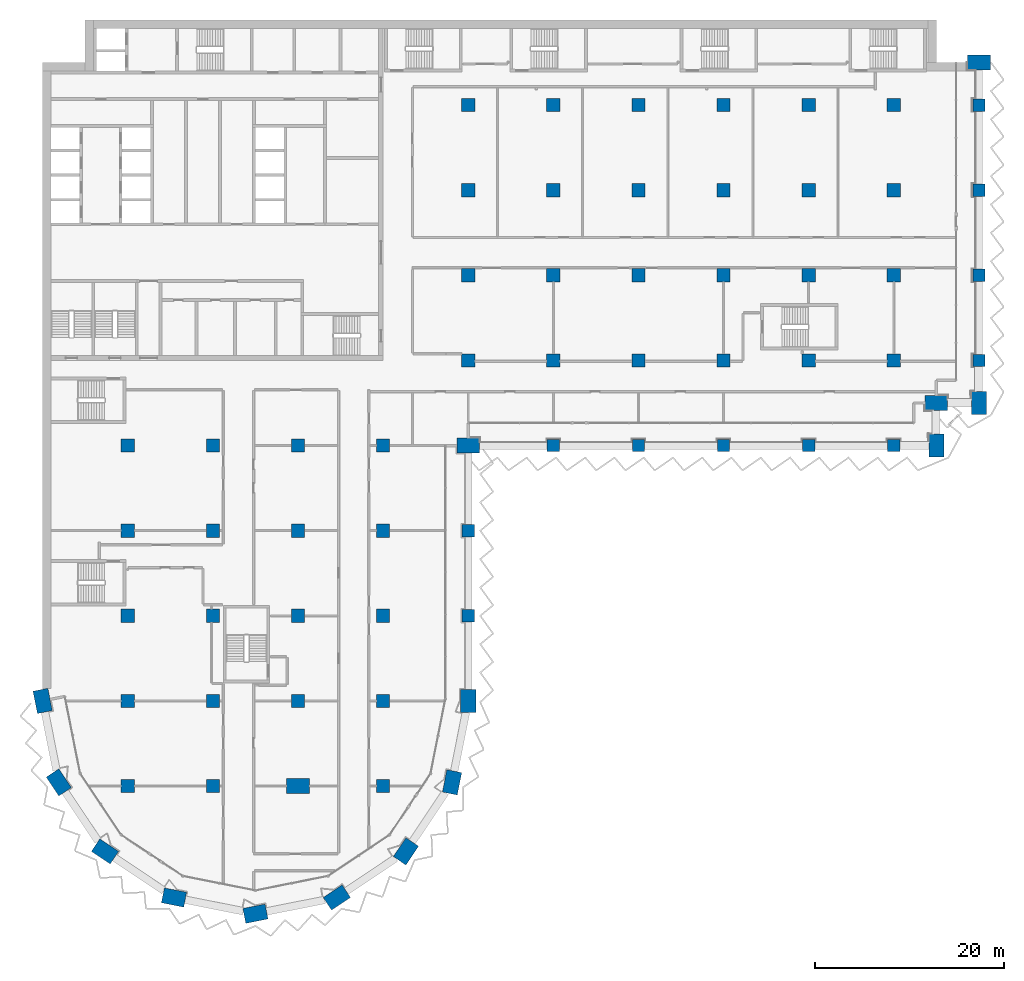
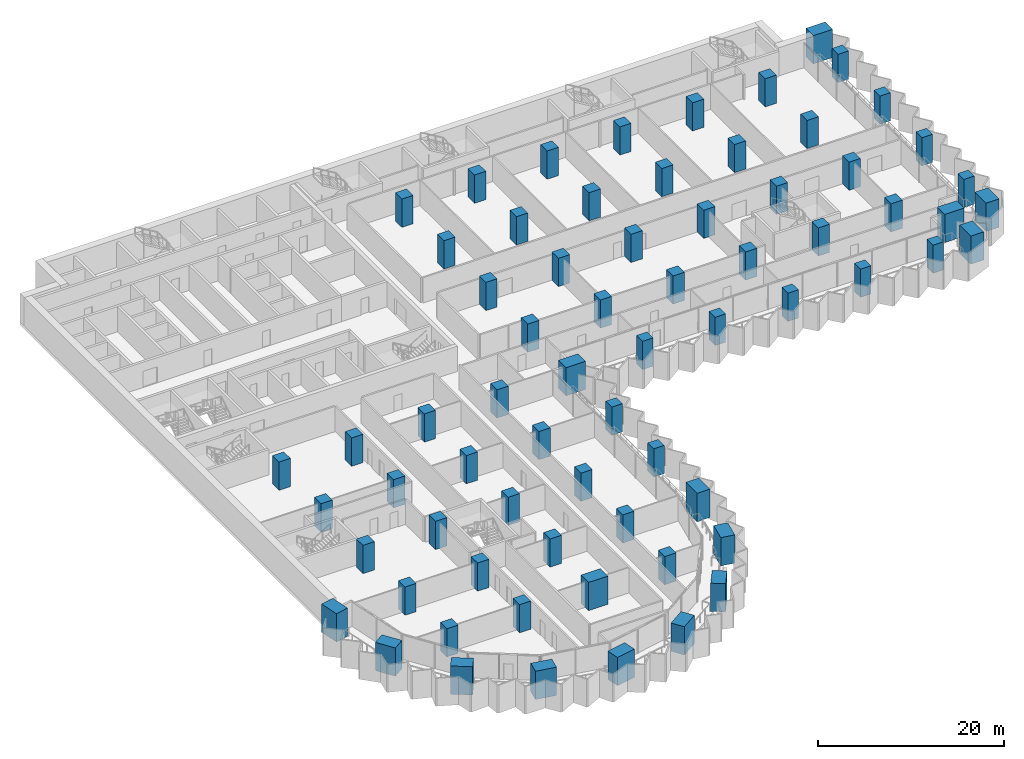
# One storey, part 1 of 29: 69 columns.
"""IFC4 building model written with IfcOpenShell, lengths in metres."""

from ifc_helpers import new_model, si_unit, direction, frame, origin, origin_2d, place, context, subcontext, project, spatial, rectangle, extrude, material, material_profile, profile_set, type_object, element, save


model = new_model("IFC4")

# Units and contexts
model_context = context("Model", 3, precision=1e-05, world=origin(), true_north=direction((0.0, 1.0)))
body_context = subcontext(model_context, "Body", "Model", "MODEL_VIEW")
ifc_project = project(units=[si_unit("LENGTHUNIT", "METRE"), si_unit("AREAUNIT", "SQUARE_METRE"), si_unit("VOLUMEUNIT", "CUBIC_METRE"), si_unit("PLANEANGLEUNIT", "RADIAN"), si_unit("MASSUNIT", "GRAM", prefix="KILO")], contexts=[model_context])

# Site, building, storey
site_placement = place(None, origin())
site = spatial("IfcSite", under=ifc_project, at=site_placement, CompositionType="ELEMENT")
building_placement = place(site_placement, origin())
building = spatial("IfcBuilding", under=site, at=building_placement, Name="Hunhe Ridgeline Campus", CompositionType="ELEMENT")
storey_placement = place(building_placement, frame((0.0, 0.0, 54.300048828125)))
storey = spatial("IfcBuildingStorey", under=building, at=storey_placement, Name="L12", CompositionType="ELEMENT", Elevation=54.300048828125)

# Columns
ifc_material = material(Name="Concrete C80", Category="concrete")
ifc_material_profile_1 = material_profile(ifc_material, rectangle(XDim=2.39990234375, YDim=1.60009765625, at=origin_2d()))
ifc_profile_set_1 = profile_set([ifc_material_profile_1], Name="Concrete C80")
column_type_1 = type_object("IfcColumnType", Name="Megacolumn 2400x1600 Concrete C80", PredefinedType="COLUMN", material=ifc_profile_set_1)
for number, where, z_axis, x_axis, name in (
    (1, (22.5, 4.5, 0.0), (0.0, 0.0, 1.0), (0.980785280403, 0.195090322016, 0.0), "Column C3 R1 L12"),
    (2, (13.8896484375, 6.212646484375, 0.0), (0.0, 0.0, 1.0), (-0.980785280403, 0.195090322016, 0.0), "Column C3 R2 L12"),
    (3, (31.1103515625, 6.212646484375, 0.0), (0.0, 0.0, 1.0), (0.831469612303, 0.55557023302, 0.0), "Column C3 R3 L12"),
    (4, (6.590087890625, 11.090087890625, 0.0), (0.0, 0.0, 1.0), (-0.831469612303, 0.55557023302, 0.0), "Column C3 R4 L12"),
    (5, (38.409912109375, 11.090087890625, 0.0), (0.0, 0.0, 1.0), (0.55557023302, 0.831469612303, 0.0), "Column C3 R5 L12"),
    (6, (1.712646484375, 18.3896484375, 0.0), (0.0, 0.0, 1.0), (-0.55557023302, 0.831469612303, 0.0), "Column C3 R9 L12"),
    (7, (43.287353515625, 18.3896484375, 0.0), (0.0, 0.0, 1.0), (0.195090322016, 0.980785280403, 0.0), "Column C3 R10 L12"),
    (8, (0.0, 27.0, 0.0), (0.0, 0.0, 1.0), (-0.195090322016, 0.980785280403, 0.0), "Column C3 D1 L12"),
    (9, (45.0, 27.0, 0.0), (0.0, 0.0, 1.0), (0.0, 1.0, 0.0), "Column C3 D6 L12"),
    (10, (45.0, 54.0, 0.0), (0.0, 0.0, 1.0), (1.0, 0.0, 0.0), "Column C3 G6 L12"),
    (11, (94.5, 54.0, 0.0), (0.0, 0.0, 1.0), (0.0, 1.0, 0.0), "Column C3 R32 L12"),
    (12, (94.5, 58.5, 0.0), (0.0, 0.0, 1.0), (1.0, 0.0, 0.0), "Column C3 R39 L12"),
    (13, (99.0, 58.5, 0.0), (0.0, 0.0, 1.0), (0.0, 1.0, 0.0), "Column C3 R40 L12"),
    (14, (99.0, 94.5, 0.0), (0.0, 0.0, 1.0), (1.0, 0.0, 0.0), "Column C3 R44 L12"),
    (15, (27.0, 18.0, 0.0), (0.0, 0.0, 1.0), (1.0, 0.0, 0.0), "Column C3 C4 L12"),
):
    element("IfcColumn", number, at=place(storey_placement, frame(where, z_axis=z_axis, x_axis=x_axis)), inside=storey, type_object=column_type_1, Name=name, PredefinedType="COLUMN", context=body_context, shape_type="SweptSolid", body=[
        extrude(rectangle(XDim=2.39990234375, YDim=1.60009765625, at=origin_2d()), origin(), (0.0, 0.0, 1.0), 3.699951171875),
    ])
ifc_material_profile_2 = material_profile(ifc_material, rectangle(XDim=1.300048828125, YDim=1.300048828125, at=origin_2d()))
ifc_profile_set_2 = profile_set([ifc_material_profile_2], Name="Concrete C80")
column_type_2 = type_object("IfcColumnType", Name="RC column 1300x1300 Concrete C80", PredefinedType="COLUMN", material=ifc_profile_set_2)
for number, where, z_axis, x_axis, name in (
    (16, (45.0, 36.0, 0.0), (0.0, 0.0, 1.0), (1.0, 0.0, 0.0), "Column C4 E6 L12"),
    (17, (45.0, 45.0, 0.0), (0.0, 0.0, 1.0), (1.0, 0.0, 0.0), "Column C4 F6 L12"),
    (18, (54.0, 54.0, 0.0), (0.0, 0.0, 1.0), (1.0, 0.0, 0.0), "Column C4 G7 L12"),
    (19, (63.0, 54.0, 0.0), (0.0, 0.0, 1.0), (1.0, 0.0, 0.0), "Column C4 G8 L12"),
    (20, (72.0, 54.0, 0.0), (0.0, 0.0, 1.0), (1.0, 0.0, 0.0), "Column C4 G9 L12"),
    (21, (81.0, 54.0, 0.0), (0.0, 0.0, 1.0), (1.0, 0.0, 0.0), "Column C4 G10 L12"),
    (22, (90.0, 54.0, 0.0), (0.0, 0.0, 1.0), (1.0, 0.0, 0.0), "Column C4 G11 L12"),
    (23, (99.0, 63.0, 0.0), (0.0, 0.0, 1.0), (1.0, 0.0, 0.0), "Column C4 H12 L12"),
    (24, (99.0, 72.0, 0.0), (0.0, 0.0, 1.0), (1.0, 0.0, 0.0), "Column C4 I12 L12"),
    (25, (99.0, 81.0, 0.0), (0.0, 0.0, 1.0), (1.0, 0.0, 0.0), "Column C4 J12 L12"),
    (26, (99.0, 90.0, 0.0), (0.0, 0.0, 1.0), (1.0, 0.0, 0.0), "Column C4 K12 L12"),
):
    element("IfcColumn", number, at=place(storey_placement, frame(where, z_axis=z_axis, x_axis=x_axis)), inside=storey, type_object=column_type_2, Name=name, PredefinedType="COLUMN", context=body_context, shape_type="SweptSolid", body=[
        extrude(rectangle(XDim=1.300048828125, YDim=1.300048828125, at=origin_2d()), origin(), (0.0, 0.0, 1.0), 3.699951171875),
    ])
ifc_material_profile_3 = material_profile(ifc_material, rectangle(XDim=1.39990234375, YDim=1.39990234375, at=origin_2d()))
ifc_profile_set_3 = profile_set([ifc_material_profile_3], Name="Concrete C80")
column_type_3 = type_object("IfcColumnType", Name="RC column 1400x1400 Concrete C80", PredefinedType="COLUMN", material=ifc_profile_set_3)
for number, where, z_axis, x_axis, name in (
    (27, (9.0, 18.0, 0.0), (0.0, 0.0, 1.0), (1.0, 0.0, 0.0), "Column C5 C2 L12"),
    (28, (9.0, 27.0, 0.0), (0.0, 0.0, 1.0), (1.0, 0.0, 0.0), "Column C5 D2 L12"),
    (29, (9.0, 36.0, 0.0), (0.0, 0.0, 1.0), (1.0, 0.0, 0.0), "Column C5 E2 L12"),
    (30, (9.0, 45.0, 0.0), (0.0, 0.0, 1.0), (1.0, 0.0, 0.0), "Column C5 F2 L12"),
    (31, (9.0, 54.0, 0.0), (0.0, 0.0, 1.0), (1.0, 0.0, 0.0), "Column C5 G2 L12"),
    (32, (18.0, 18.0, 0.0), (0.0, 0.0, 1.0), (1.0, 0.0, 0.0), "Column C5 C3 L12"),
    (33, (18.0, 27.0, 0.0), (0.0, 0.0, 1.0), (1.0, 0.0, 0.0), "Column C5 D3 L12"),
    (34, (18.0, 36.0, 0.0), (0.0, 0.0, 1.0), (1.0, 0.0, 0.0), "Column C5 E3 L12"),
    (35, (18.0, 45.0, 0.0), (0.0, 0.0, 1.0), (1.0, 0.0, 0.0), "Column C5 F3 L12"),
    (36, (18.0, 54.0, 0.0), (0.0, 0.0, 1.0), (1.0, 0.0, 0.0), "Column C5 G3 L12"),
    (37, (27.0, 27.0, 0.0), (0.0, 0.0, 1.0), (1.0, 0.0, 0.0), "Column C5 D4 L12"),
    (38, (27.0, 36.0, 0.0), (0.0, 0.0, 1.0), (1.0, 0.0, 0.0), "Column C5 E4 L12"),
    (39, (27.0, 45.0, 0.0), (0.0, 0.0, 1.0), (1.0, 0.0, 0.0), "Column C5 F4 L12"),
    (40, (27.0, 54.0, 0.0), (0.0, 0.0, 1.0), (1.0, 0.0, 0.0), "Column C5 G4 L12"),
    (41, (36.0, 18.0, 0.0), (0.0, 0.0, 1.0), (1.0, 0.0, 0.0), "Column C5 C5 L12"),
    (42, (36.0, 27.0, 0.0), (0.0, 0.0, 1.0), (1.0, 0.0, 0.0), "Column C5 D5 L12"),
    (43, (36.0, 36.0, 0.0), (0.0, 0.0, 1.0), (1.0, 0.0, 0.0), "Column C5 E5 L12"),
    (44, (36.0, 45.0, 0.0), (0.0, 0.0, 1.0), (1.0, 0.0, 0.0), "Column C5 F5 L12"),
    (45, (36.0, 54.0, 0.0), (0.0, 0.0, 1.0), (1.0, 0.0, 0.0), "Column C5 G5 L12"),
    (46, (45.0, 63.0, 0.0), (0.0, 0.0, 1.0), (1.0, 0.0, 0.0), "Column C5 H6 L12"),
    (47, (45.0, 72.0, 0.0), (0.0, 0.0, 1.0), (1.0, 0.0, 0.0), "Column C5 I6 L12"),
    (48, (45.0, 81.0, 0.0), (0.0, 0.0, 1.0), (1.0, 0.0, 0.0), "Column C5 J6 L12"),
    (49, (45.0, 90.0, 0.0), (0.0, 0.0, 1.0), (1.0, 0.0, 0.0), "Column C5 K6 L12"),
    (50, (54.0, 63.0, 0.0), (0.0, 0.0, 1.0), (1.0, 0.0, 0.0), "Column C5 H7 L12"),
    (51, (54.0, 72.0, 0.0), (0.0, 0.0, 1.0), (1.0, 0.0, 0.0), "Column C5 I7 L12"),
    (52, (54.0, 81.0, 0.0), (0.0, 0.0, 1.0), (1.0, 0.0, 0.0), "Column C5 J7 L12"),
    (53, (54.0, 90.0, 0.0), (0.0, 0.0, 1.0), (1.0, 0.0, 0.0), "Column C5 K7 L12"),
    (54, (63.0, 63.0, 0.0), (0.0, 0.0, 1.0), (1.0, 0.0, 0.0), "Column C5 H8 L12"),
    (55, (63.0, 72.0, 0.0), (0.0, 0.0, 1.0), (1.0, 0.0, 0.0), "Column C5 I8 L12"),
    (56, (63.0, 81.0, 0.0), (0.0, 0.0, 1.0), (1.0, 0.0, 0.0), "Column C5 J8 L12"),
    (57, (63.0, 90.0, 0.0), (0.0, 0.0, 1.0), (1.0, 0.0, 0.0), "Column C5 K8 L12"),
    (58, (72.0, 63.0, 0.0), (0.0, 0.0, 1.0), (1.0, 0.0, 0.0), "Column C5 H9 L12"),
    (59, (72.0, 72.0, 0.0), (0.0, 0.0, 1.0), (1.0, 0.0, 0.0), "Column C5 I9 L12"),
    (60, (72.0, 81.0, 0.0), (0.0, 0.0, 1.0), (1.0, 0.0, 0.0), "Column C5 J9 L12"),
    (61, (72.0, 90.0, 0.0), (0.0, 0.0, 1.0), (1.0, 0.0, 0.0), "Column C5 K9 L12"),
    (62, (81.0, 63.0, 0.0), (0.0, 0.0, 1.0), (1.0, 0.0, 0.0), "Column C5 H10 L12"),
    (63, (81.0, 72.0, 0.0), (0.0, 0.0, 1.0), (1.0, 0.0, 0.0), "Column C5 I10 L12"),
    (64, (81.0, 81.0, 0.0), (0.0, 0.0, 1.0), (1.0, 0.0, 0.0), "Column C5 J10 L12"),
    (65, (81.0, 90.0, 0.0), (0.0, 0.0, 1.0), (1.0, 0.0, 0.0), "Column C5 K10 L12"),
    (66, (90.0, 63.0, 0.0), (0.0, 0.0, 1.0), (1.0, 0.0, 0.0), "Column C5 H11 L12"),
    (67, (90.0, 72.0, 0.0), (0.0, 0.0, 1.0), (1.0, 0.0, 0.0), "Column C5 I11 L12"),
    (68, (90.0, 81.0, 0.0), (0.0, 0.0, 1.0), (1.0, 0.0, 0.0), "Column C5 J11 L12"),
    (69, (90.0, 90.0, 0.0), (0.0, 0.0, 1.0), (1.0, 0.0, 0.0), "Column C5 K11 L12"),
):
    element("IfcColumn", number, at=place(storey_placement, frame(where, z_axis=z_axis, x_axis=x_axis)), inside=storey, type_object=column_type_3, Name=name, PredefinedType="COLUMN", context=body_context, shape_type="SweptSolid", body=[
        extrude(rectangle(XDim=1.39990234375, YDim=1.39990234375, at=origin_2d()), origin(), (0.0, 0.0, 1.0), 3.699951171875),
    ])

save(model, "model.ifc")
